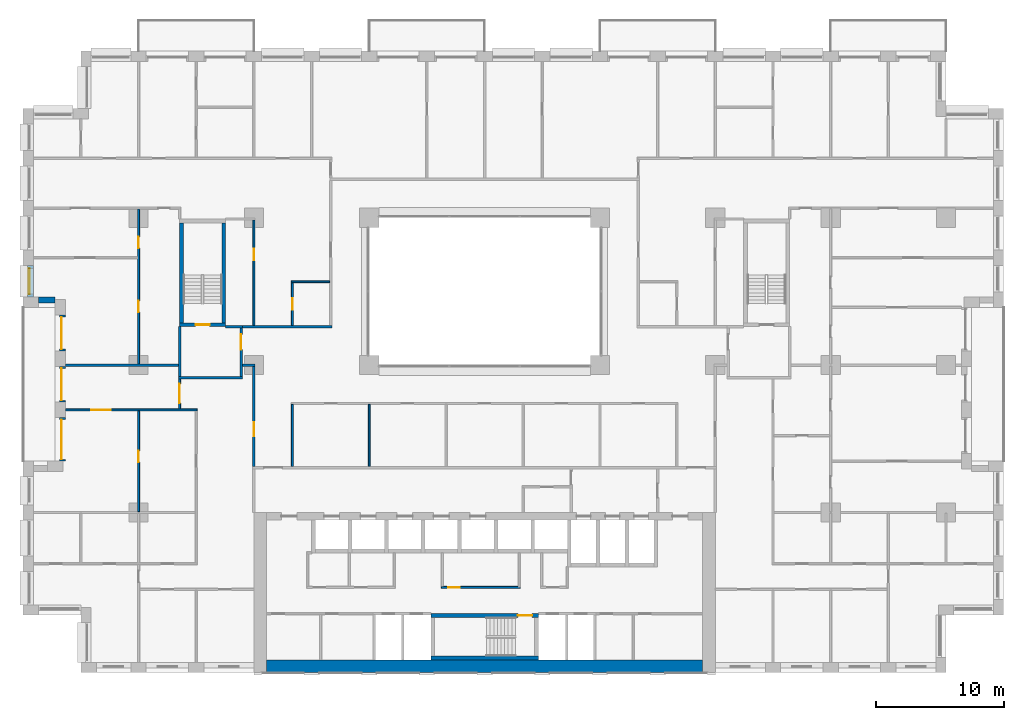
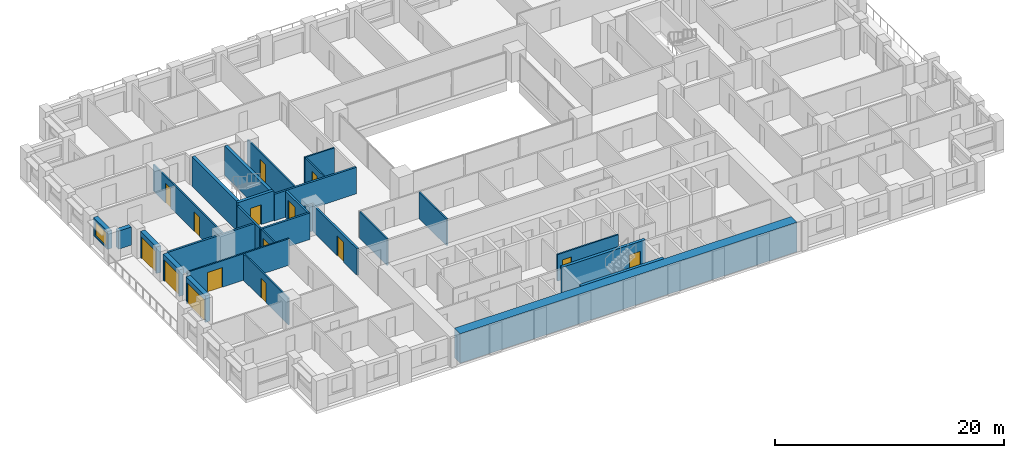
# One storey, part 10 of 19: 29 walls, 15 doors, 1 window, 16 openings.
"""IFC4 building model written with IfcOpenShell, lengths in metres."""

from ifc_helpers import new_model, si_unit, direction, frame, frame_2d, origin, place, context, subcontext, project, spatial, rectangle, extrude, material, layer, layer_set, type_object, element, fill, save


model = new_model("IFC4")

# Units and contexts
model_context = context("Model", 3, precision=1e-05, world=origin(), true_north=direction((0.0, 1.0)))
body_context = subcontext(model_context, "Body", "Model", "MODEL_VIEW")
ifc_project = project(units=[si_unit("LENGTHUNIT", "METRE"), si_unit("AREAUNIT", "SQUARE_METRE"), si_unit("VOLUMEUNIT", "CUBIC_METRE"), si_unit("PLANEANGLEUNIT", "RADIAN"), si_unit("MASSUNIT", "GRAM", prefix="KILO")], contexts=[model_context])

# Site, building, storey
site_placement = place(None, origin())
site = spatial("IfcSite", under=ifc_project, at=site_placement, CompositionType="ELEMENT")
building_placement = place(site_placement, origin())
building = spatial("IfcBuilding", under=site, at=building_placement, Name="Brigalow Station Residences", CompositionType="ELEMENT")
storey_placement = place(building_placement, frame((0.0, 0.0, 19.5)))
storey = spatial("IfcBuildingStorey", under=building, at=storey_placement, Name="L04", CompositionType="ELEMENT", Elevation=19.5)

# Wall, opening, window
ifc_material_1 = material(Name="Clay brick masonry", Category="masonry")
ifc_layer_1 = layer(ifc_material_1, 0.449951171875)
ifc_layer_set_1 = layer_set([ifc_layer_1], Name="BRICK INFILL WALL 450")
wall_type_1 = type_object("IfcWallType", Name="BRICK INFILL WALL 450", PredefinedType="SOLIDWALL", material=ifc_layer_set_1)
wall_1_placement = place(storey_placement, frame((0.574951171875, 31.77490234375, 0.89990234375), z_axis=(0.0, 0.0, 1.0), x_axis=(0.0, -1.0, 0.0)))
wall_1 = element("IfcWall", 1, at=wall_1_placement, inside=storey, type_object=wall_type_1, Name="L04/ewall/W-L04-45", PredefinedType="SOLIDWALL", context=body_context, shape_type="SweptSolid", body=[
    extrude(rectangle(XDim=2.474853515625, YDim=0.449951171875, at=frame_2d((1.2373046875, 0.0))), origin(), (0.0, 0.0, 1.0), 1.93017578125),
])
opening_1_placement = place(wall_1_placement, frame((0.237548828125, 0.0, 0.14990234375)))
opening_1 = element("IfcOpeningElement", 2, at=opening_1_placement, cuts=wall_1, Name="Opening WT-7", PredefinedType="OPENING", context=body_context, shape_type="SweptSolid", body=[
    extrude(rectangle(XDim=2.0, YDim=1.5, at=frame_2d((1.0, 0.75))), frame((0.0, 0.23486328125, 0.0), z_axis=(0.0, -1.0, 0.0), x_axis=(1.0, 0.0, 0.0)), (0.0, 0.0, 1.0), 0.469970703125),
])
ifc_material_2 = material(Name="Anodised aluminium frame with double glazing", Category="aluminium")
window_type = type_object("IfcWindowType", Name="WINDOW 2000x1500", PartitioningType="SINGLE_PANEL", PredefinedType="WINDOW", material=ifc_material_2)
window_placement = place(opening_1_placement, origin())
window = element("IfcWindow", 3, at=window_placement, inside=storey, type_object=window_type, Name="L04/window/W-L04-45", OverallHeight=1.5, OverallWidth=2.0, PartitioningType="SINGLE_PANEL", PredefinedType="WINDOW", context=body_context, shape_type="SweptSolid", body=[
    extrude(rectangle(XDim=2.0, YDim=1.5, at=frame_2d((1.0, 0.75))), frame((0.0, -0.06494140625, 0.0), z_axis=(0.0, -1.0, 0.0), x_axis=(1.0, 0.0, 0.0)), (0.0, 0.0, 1.0), 0.06005859375),
])
fill(opening_1, window)

# Wall
wall_2_placement = place(storey_placement, frame((1.199951171875, 29.074951171875, 0.89990234375), z_axis=(0.0, 0.0, 1.0), x_axis=(1.0, 0.0, 0.0)))
element("IfcWall", 4, at=wall_2_placement, inside=storey, type_object=wall_type_1, Name="L04/ewall/W-L04-46", PredefinedType="SOLIDWALL", context=body_context, shape_type="SweptSolid", body=[
    extrude(rectangle(XDim=1.300048828125, YDim=0.449951171875, at=frame_2d((0.64990234375, 0.0))), origin(), (0.0, 0.0, 1.0), 1.93017578125),
])

# Wall, opening, door
wall_3_placement = place(storey_placement, frame((3.074951171875, 27.89990234375, 0.0), z_axis=(0.0, 0.0, 1.0), x_axis=(0.0, -1.0, 0.0)))
wall_3 = element("IfcWall", 5, at=wall_3_placement, inside=storey, type_object=wall_type_1, Name="L04/ewall/W-L04-47", PredefinedType="SOLIDWALL", context=body_context, shape_type="SweptSolid", body=[
    extrude(rectangle(XDim=2.7998046875, YDim=0.449951171875, at=frame_2d((1.39990234375, 0.0))), origin(), (0.0, 0.0, 1.0), 2.830078125),
])
opening_2_placement = place(wall_3_placement, frame((0.14990234375, 0.0, 0.0)))
opening_2 = element("IfcOpeningElement", 6, at=opening_2_placement, cuts=wall_3, Name="Opening D-B2500", PredefinedType="OPENING", context=body_context, shape_type="SweptSolid", body=[
    extrude(rectangle(XDim=2.5, YDim=2.300048828125, at=frame_2d((1.25, 1.14990234375))), frame((0.0, 0.23486328125, 0.0), z_axis=(0.0, -1.0, 0.0), x_axis=(1.0, 0.0, 0.0)), (0.0, 0.0, 1.0), 0.469970703125),
])
ifc_material_3 = material(Name="Anodised aluminium frame with double glazing", Category="aluminium")
door_type_1 = type_object("IfcDoorType", Name="BALCONY SLIDING DOOR 2500x2300", OperationType="SLIDING_TO_LEFT", PredefinedType="DOOR", material=ifc_material_3)
door_1_placement = place(opening_2_placement, origin())
door_1 = element("IfcDoor", 7, at=door_1_placement, inside=storey, type_object=door_type_1, Name="L04/balcony-door/W-L04-47", OperationType="SLIDING_TO_LEFT", OverallHeight=2.300048828125, OverallWidth=2.5, PredefinedType="DOOR", context=body_context, shape_type="SweptSolid", body=[
    extrude(rectangle(XDim=2.5, YDim=2.300048828125, at=frame_2d((1.25, 1.14990234375))), frame((0.0, -0.06982421875, 0.0), z_axis=(0.0, -1.0, 0.0), x_axis=(1.0, 0.0, 0.0)), (0.0, 0.0, 1.0), 0.050048828125),
])
fill(opening_2, door_1)

wall_4_placement = place(storey_placement, frame((3.074951171875, 23.89990234375, 0.0), z_axis=(0.0, 0.0, 1.0), x_axis=(0.0, -1.0, 0.0)))
wall_4 = element("IfcWall", 8, at=wall_4_placement, inside=storey, type_object=wall_type_1, Name="L04/ewall/W-L04-48", PredefinedType="SOLIDWALL", context=body_context, shape_type="SweptSolid", body=[
    extrude(rectangle(XDim=2.7998046875, YDim=0.449951171875, at=frame_2d((1.39990234375, 0.0))), origin(), (0.0, 0.0, 1.0), 2.830078125),
])
opening_3_placement = place(wall_4_placement, frame((0.14990234375, 0.0, 0.0)))
opening_3 = element("IfcOpeningElement", 9, at=opening_3_placement, cuts=wall_4, Name="Opening D-B2500", PredefinedType="OPENING", context=body_context, shape_type="SweptSolid", body=[
    extrude(rectangle(XDim=2.5, YDim=2.300048828125, at=frame_2d((1.25, 1.14990234375))), frame((0.0, 0.23486328125, 0.0), z_axis=(0.0, -1.0, 0.0), x_axis=(1.0, 0.0, 0.0)), (0.0, 0.0, 1.0), 0.469970703125),
])
door_2_placement = place(opening_3_placement, origin())
door_2 = element("IfcDoor", 10, at=door_2_placement, inside=storey, type_object=door_type_1, Name="L04/balcony-door/W-L04-48", OperationType="SLIDING_TO_LEFT", OverallHeight=2.300048828125, OverallWidth=2.5, PredefinedType="DOOR", context=body_context, shape_type="SweptSolid", body=[
    extrude(rectangle(XDim=2.5, YDim=2.300048828125, at=frame_2d((1.25, 1.14990234375))), frame((0.0, -0.06982421875, 0.0), z_axis=(0.0, -1.0, 0.0), x_axis=(1.0, 0.0, 0.0)), (0.0, 0.0, 1.0), 0.050048828125),
])
fill(opening_3, door_2)

wall_5_placement = place(storey_placement, frame((3.074951171875, 19.89990234375, 0.0), z_axis=(0.0, 0.0, 1.0), x_axis=(0.0, -1.0, 0.0)))
wall_5 = element("IfcWall", 11, at=wall_5_placement, inside=storey, type_object=wall_type_1, Name="L04/ewall/W-L04-49", PredefinedType="SOLIDWALL", context=body_context, shape_type="SweptSolid", body=[
    extrude(rectangle(XDim=3.39990234375, YDim=0.449951171875, at=frame_2d((1.699951171875, 0.0))), origin(), (0.0, 0.0, 1.0), 2.830078125),
])
opening_4_placement = place(wall_5_placement, frame((0.14990234375, 0.0, 0.0)))
opening_4 = element("IfcOpeningElement", 12, at=opening_4_placement, cuts=wall_5, Name="Opening D-B3100", PredefinedType="OPENING", context=body_context, shape_type="SweptSolid", body=[
    extrude(rectangle(XDim=3.10009765625, YDim=2.300048828125, at=frame_2d((1.550048828125, 1.14990234375))), frame((0.0, 0.23486328125, 0.0), z_axis=(0.0, -1.0, 0.0), x_axis=(1.0, 0.0, 0.0)), (0.0, 0.0, 1.0), 0.469970703125),
])
ifc_material_4 = material(Name="Anodised aluminium frame with double glazing", Category="aluminium")
door_type_2 = type_object("IfcDoorType", Name="BALCONY SLIDING DOOR 3100x2300", OperationType="SLIDING_TO_LEFT", PredefinedType="DOOR", material=ifc_material_4)
door_3_placement = place(opening_4_placement, origin())
door_3 = element("IfcDoor", 13, at=door_3_placement, inside=storey, type_object=door_type_2, Name="L04/balcony-door/W-L04-49", OperationType="SLIDING_TO_LEFT", OverallHeight=2.300048828125, OverallWidth=3.10009765625, PredefinedType="DOOR", context=body_context, shape_type="SweptSolid", body=[
    extrude(rectangle(XDim=3.10009765625, YDim=2.300048828125, at=frame_2d((1.550048828125, 1.14990234375))), frame((0.0, -0.06982421875, 0.0), z_axis=(0.0, -1.0, 0.0), x_axis=(1.0, 0.0, 0.0)), (0.0, 0.0, 1.0), 0.050048828125),
])
fill(opening_4, door_3)

# Walls
ifc_material_5 = material(Name="Concrete C80", Category="concrete")
ifc_layer_2 = layer(ifc_material_5, 1.0)
ifc_layer_set_2 = layer_set([ifc_layer_2], Name="CORE SHEAR WALL 1000 C80")
wall_type_2 = type_object("IfcWallType", Name="CORE SHEAR WALL 1000 C80", PredefinedType="SHEAR", material=ifc_layer_set_2)
wall_6_placement = place(storey_placement, frame((19.0, 0.5, 0.0), z_axis=(0.0, 0.0, 1.0), x_axis=(1.0, 0.0, 0.0)))
element("IfcWall", 14, at=wall_6_placement, inside=storey, type_object=wall_type_2, Name="CORE WALL OUT-S L04", PredefinedType="SHEAR", context=body_context, shape_type="SweptSolid", body=[
    extrude(rectangle(XDim=34.0, YDim=1.0, at=frame_2d((17.0, 0.0))), origin(), (0.0, 0.0, 1.0), 3.14990234375),
])
ifc_material_6 = material(Name="Concrete C80", Category="concrete")
ifc_layer_3 = layer(ifc_material_6, 0.300048828125)
ifc_layer_set_3 = layer_set([ifc_layer_3], Name="CORE SHEAR WALL 300 C80")
wall_type_3 = type_object("IfcWallType", Name="CORE SHEAR WALL 300 C80", PredefinedType="SHEAR", material=ifc_layer_set_3)
wall_7_placement = place(storey_placement, frame((31.800048828125, 1.14990234375, 0.0), z_axis=(0.0, 0.0, 1.0), x_axis=(1.0, 0.0, 0.0)))
element("IfcWall", 15, at=wall_7_placement, inside=storey, type_object=wall_type_3, Name="CORE WALL ST-S2-S L04", PredefinedType="SHEAR", context=body_context, shape_type="SweptSolid", body=[
    extrude(rectangle(XDim=8.39990234375, YDim=0.300048828125, at=frame_2d((4.199951171875, 0.0))), origin(), (0.0, 0.0, 1.0), 3.14990234375),
])

# Wall, opening, door
wall_8_placement = place(storey_placement, frame((31.800048828125, 4.449951171875, 0.0), z_axis=(0.0, 0.0, 1.0), x_axis=(1.0, 0.0, 0.0)))
wall_8 = element("IfcWall", 16, at=wall_8_placement, inside=storey, type_object=wall_type_3, Name="CORE WALL ST-S2-N L04", PredefinedType="SHEAR", context=body_context, shape_type="SweptSolid", body=[
    extrude(rectangle(XDim=8.39990234375, YDim=0.300048828125, at=frame_2d((4.199951171875, 0.0))), origin(), (0.0, 0.0, 1.0), 3.14990234375),
])
opening_5_placement = place(wall_8_placement, frame((6.800048828125, 0.0, 0.0)))
opening_5 = element("IfcOpeningElement", 17, at=opening_5_placement, cuts=wall_8, Name="Opening D-5001", PredefinedType="OPENING", context=body_context, shape_type="SweptSolid", body=[
    extrude(rectangle(XDim=1.10009765625, YDim=2.10009765625, at=frame_2d((0.550048828125, 1.050048828125))), frame((0.0, 0.16015625, 0.0), z_axis=(0.0, -1.0, 0.0), x_axis=(1.0, 0.0, 0.0)), (0.0, 0.0, 1.0), 0.320068359375),
])
ifc_material_7 = material(Name="Steel fire door leaf in steel frame", Category="steel")
door_type_3 = type_object("IfcDoorType", Name="STAIR DOOR 1100 x 2100 FD60S", OperationType="SINGLE_SWING_LEFT", PredefinedType="DOOR", material=ifc_material_7)
door_4_placement = place(opening_5_placement, frame((1.10009765625, 0.0, 0.0), z_axis=(0.0, 0.0, 1.0), x_axis=(-1.0, 0.0, 0.0)))
door_4 = element("IfcDoor", 18, at=door_4_placement, inside=storey, type_object=door_type_3, Name="D-5001", OperationType="SINGLE_SWING_LEFT", OverallHeight=2.10009765625, OverallWidth=1.10009765625, PredefinedType="DOOR", context=body_context, shape_type="SweptSolid", body=[
    extrude(rectangle(XDim=1.10009765625, YDim=2.10009765625, at=frame_2d((0.550048828125, 1.050048828125))), frame((0.0, 0.02490234375, 0.0), z_axis=(0.0, -1.0, 0.0), x_axis=(1.0, 0.0, 0.0)), (0.0, 0.0, 1.0), 0.050048828125),
])
fill(opening_5, door_4)

wall_9_placement = place(storey_placement, frame((12.199951171875, 27.14990234375, 0.0), z_axis=(0.0, 0.0, 1.0), x_axis=(1.0, 0.0, 0.0)))
wall_9 = element("IfcWall", 19, at=wall_9_placement, inside=storey, type_object=wall_type_3, Name="CORE WALL ST-S1-S L04", PredefinedType="SHEAR", context=body_context, shape_type="SweptSolid", body=[
    extrude(rectangle(XDim=3.60009765625, YDim=0.300048828125, at=frame_2d((1.800048828125, 0.0))), origin(), (0.0, 0.0, 1.0), 3.14990234375),
])
opening_6_placement = place(wall_9_placement, frame((1.25, 0.0, 0.0)))
opening_6 = element("IfcOpeningElement", 20, at=opening_6_placement, cuts=wall_9, Name="Opening D-5015", PredefinedType="OPENING", context=body_context, shape_type="SweptSolid", body=[
    extrude(rectangle(XDim=1.10009765625, YDim=2.10009765625, at=frame_2d((0.550048828125, 1.050048828125))), frame((0.0, 0.16015625, 0.0), z_axis=(0.0, -1.0, 0.0), x_axis=(1.0, 0.0, 0.0)), (0.0, 0.0, 1.0), 0.320068359375),
])
door_5_placement = place(opening_6_placement, origin())
door_5 = element("IfcDoor", 21, at=door_5_placement, inside=storey, type_object=door_type_3, Name="D-5015", OperationType="SINGLE_SWING_LEFT", OverallHeight=2.10009765625, OverallWidth=1.10009765625, PredefinedType="DOOR", context=body_context, shape_type="SweptSolid", body=[
    extrude(rectangle(XDim=1.10009765625, YDim=2.10009765625, at=frame_2d((0.550048828125, 1.050048828125))), frame((0.0, 0.02490234375, 0.0), z_axis=(0.0, -1.0, 0.0), x_axis=(1.0, 0.0, 0.0)), (0.0, 0.0, 1.0), 0.050048828125),
])
fill(opening_6, door_5)

# Walls
for number, where, z_axis, x_axis, name in (
    (22, (12.35009765625, 27.300048828125, 0.0), (0.0, 0.0, 1.0), (0.0, 1.0, 0.0), "CORE WALL ST-S1-W L04"),
    (23, (15.64990234375, 27.300048828125, 0.0), (0.0, 0.0, 1.0), (0.0, 1.0, 0.0), "CORE WALL ST-S1-E L04"),
):
    element("IfcWall", number, at=place(storey_placement, frame(where, z_axis=z_axis, x_axis=x_axis)), inside=storey, type_object=wall_type_3, Name=name, PredefinedType="SHEAR", context=body_context, shape_type="SweptSolid", body=[
        extrude(rectangle(XDim=7.800048828125, YDim=0.300048828125, at=frame_2d((3.89990234375, 0.0))), origin(), (0.0, 0.0, 1.0), 3.14990234375),
    ])
ifc_material_8 = material(Name="Concrete blockwork", Category="masonry")
ifc_layer_4 = layer(ifc_material_8, 0.199951171875)
ifc_layer_set_4 = layer_set([ifc_layer_4], Name="FIRE RATED CORE PARTITION 200")
wall_type_4 = type_object("IfcWallType", Name="FIRE RATED CORE PARTITION 200", PredefinedType="PARTITIONING", material=ifc_layer_set_4)
wall_10_placement = place(storey_placement, frame((12.10009765625, 23.0, 0.0), z_axis=(0.0, 0.0, 1.0), x_axis=(1.0, 0.0, 0.0)))
element("IfcWall", 24, at=wall_10_placement, inside=storey, type_object=wall_type_4, Name="PW-5023", PredefinedType="PARTITIONING", context=body_context, shape_type="SweptSolid", body=[
    extrude(rectangle(XDim=5.0, YDim=0.199951171875, at=frame_2d((2.5, 0.0))), origin(), (0.0, 0.0, 1.0), 2.830078125),
])
wall_11_placement = place(storey_placement, frame((15.800048828125, 27.0, 0.0), z_axis=(0.0, 0.0, 1.0), x_axis=(1.0, 0.0, 0.0)))
element("IfcWall", 25, at=wall_11_placement, inside=storey, type_object=wall_type_4, Name="PW-5025", PredefinedType="PARTITIONING", context=body_context, shape_type="SweptSolid", body=[
    extrude(rectangle(XDim=1.300048828125, YDim=0.199951171875, at=frame_2d((0.64990234375, 0.0))), origin(), (0.0, 0.0, 1.0), 2.830078125),
])
wall_12_placement = place(storey_placement, frame((12.199951171875, 23.10009765625, 0.0), z_axis=(0.0, 0.0, 1.0), x_axis=(0.0, 1.0, 0.0)))
element("IfcWall", 26, at=wall_12_placement, inside=storey, type_object=wall_type_4, Name="PW-5034", PredefinedType="PARTITIONING", context=body_context, shape_type="SweptSolid", body=[
    extrude(rectangle(XDim=3.89990234375, YDim=0.199951171875, at=frame_2d((1.949951171875, 0.0))), origin(), (0.0, 0.0, 1.0), 2.830078125),
])

# Wall, opening, door
wall_13_placement = place(storey_placement, frame((17.0, 23.10009765625, 0.0), z_axis=(0.0, 0.0, 1.0), x_axis=(0.0, 1.0, 0.0)))
wall_13 = element("IfcWall", 27, at=wall_13_placement, inside=storey, type_object=wall_type_4, Name="PW-5035", PredefinedType="PARTITIONING", context=body_context, shape_type="SweptSolid", body=[
    extrude(rectangle(XDim=3.7998046875, YDim=0.199951171875, at=frame_2d((1.89990234375, 0.0))), origin(), (0.0, 0.0, 1.0), 2.830078125),
])
opening_7_placement = place(wall_13_placement, frame((2.10009765625, 0.0, 0.0)))
opening_7 = element("IfcOpeningElement", 28, at=opening_7_placement, cuts=wall_13, Name="Opening D-5016", PredefinedType="OPENING", context=body_context, shape_type="SweptSolid", body=[
    extrude(rectangle(XDim=1.199951171875, YDim=2.10009765625, at=frame_2d((0.60009765625, 1.050048828125))), frame((0.0, 0.10986328125, 0.0), z_axis=(0.0, -1.0, 0.0), x_axis=(1.0, 0.0, 0.0)), (0.0, 0.0, 1.0), 0.219970703125),
])
ifc_material_9 = material(Name="Steel fire door leaf in steel frame", Category="steel")
door_type_4 = type_object("IfcDoorType", Name="STAIR LOBBY DOOR 1200 x 2100 FD60S", OperationType="SINGLE_SWING_LEFT", PredefinedType="DOOR", material=ifc_material_9)
door_6_placement = place(opening_7_placement, origin())
door_6 = element("IfcDoor", 29, at=door_6_placement, inside=storey, type_object=door_type_4, Name="D-5016", OperationType="SINGLE_SWING_RIGHT", OverallHeight=2.10009765625, OverallWidth=1.199951171875, PredefinedType="DOOR", context=body_context, shape_type="SweptSolid", body=[
    extrude(rectangle(XDim=1.199951171875, YDim=2.10009765625, at=frame_2d((0.60009765625, 1.050048828125))), frame((0.0, 0.02490234375, 0.0), z_axis=(0.0, -1.0, 0.0), x_axis=(1.0, 0.0, 0.0)), (0.0, 0.0, 1.0), 0.050048828125),
])
fill(opening_7, door_6)

ifc_material_10 = material(Name="Plasterboard on steel stud partition", Category="steel")
ifc_layer_5 = layer(ifc_material_10, 0.14990234375)
ifc_layer_set_5 = layer_set([ifc_layer_5], Name="FLAT PARTITION 150")
wall_type_5 = type_object("IfcWallType", Name="FLAT PARTITION 150", PredefinedType="PARTITIONING", material=ifc_layer_set_5)
wall_14_placement = place(storey_placement, frame((3.300048828125, 20.5, 0.0), z_axis=(0.0, 0.0, 1.0), x_axis=(1.0, 0.0, 0.0)))
wall_14 = element("IfcWall", 30, at=wall_14_placement, inside=storey, type_object=wall_type_5, Name="PW-1A15", PredefinedType="PARTITIONING", context=body_context, shape_type="SweptSolid", body=[
    extrude(rectangle(XDim=10.27490234375, YDim=0.14990234375, at=frame_2d((5.137451171875, 0.0))), origin(), (0.0, 0.0, 1.0), 2.830078125),
])
opening_8_placement = place(wall_14_placement, frame((2.02490234375, 0.0, 0.0)))
opening_8 = element("IfcOpeningElement", 31, at=opening_8_placement, cuts=wall_14, Name="Opening D-1A12", PredefinedType="OPENING", context=body_context, shape_type="SweptSolid", body=[
    extrude(rectangle(XDim=1.5, YDim=2.10009765625, at=frame_2d((0.75, 1.050048828125))), frame((0.0, 0.0849609375, 0.0), z_axis=(0.0, -1.0, 0.0), x_axis=(1.0, 0.0, 0.0)), (0.0, 0.0, 1.0), 0.169921875),
])
ifc_material_11 = material(Name="Solid-core timber door leaf", Category="wood")
door_type_5 = type_object("IfcDoorType", Name="INTERNAL DOUBLE DOOR 1500 x 2100", OperationType="DOUBLE_DOOR_SINGLE_SWING", PredefinedType="DOOR", material=ifc_material_11)
door_7_placement = place(opening_8_placement, origin())
door_7 = element("IfcDoor", 32, at=door_7_placement, inside=storey, type_object=door_type_5, Name="D-1A12", OperationType="DOUBLE_DOOR_SINGLE_SWING", OverallHeight=2.10009765625, OverallWidth=1.5, PredefinedType="DOOR", context=body_context, shape_type="SweptSolid", body=[
    extrude(rectangle(XDim=1.5, YDim=2.10009765625, at=frame_2d((0.75, 1.050048828125))), frame((0.0, 0.02490234375, 0.0), z_axis=(0.0, -1.0, 0.0), x_axis=(1.0, 0.0, 0.0)), (0.0, 0.0, 1.0), 0.050048828125),
])
fill(opening_8, door_7)

# Wall
wall_15_placement = place(storey_placement, frame((20.925048828125, 30.5, 0.0), z_axis=(0.0, 0.0, 1.0), x_axis=(1.0, 0.0, 0.0)))
element("IfcWall", 33, at=wall_15_placement, inside=storey, type_object=wall_type_5, Name="PW-1A24", PredefinedType="PARTITIONING", context=body_context, shape_type="SweptSolid", body=[
    extrude(rectangle(XDim=2.974853515625, YDim=0.14990234375, at=frame_2d((1.4873046875, 0.0))), origin(), (0.0, 0.0, 1.0), 2.830078125),
])

# Wall, opening, door
wall_16_placement = place(storey_placement, frame((18.0, 27.10009765625, 0.0), z_axis=(0.0, 0.0, 1.0), x_axis=(0.0, 1.0, 0.0)))
wall_16 = element("IfcWall", 34, at=wall_16_placement, inside=storey, type_object=wall_type_5, Name="PW-1A32", PredefinedType="PARTITIONING", context=body_context, shape_type="SweptSolid", body=[
    extrude(rectangle(XDim=8.224853515625, YDim=0.14990234375, at=frame_2d((4.1123046875, 0.0))), origin(), (0.0, 0.0, 1.0), 2.830078125),
])
opening_9_placement = place(wall_16_placement, frame((5.074951171875, 0.0, 0.0)))
opening_9 = element("IfcOpeningElement", 35, at=opening_9_placement, cuts=wall_16, Name="Opening D-1A19", PredefinedType="OPENING", context=body_context, shape_type="SweptSolid", body=[
    extrude(rectangle(XDim=0.89990234375, YDim=2.10009765625, at=frame_2d((0.449951171875, 1.050048828125))), frame((0.0, 0.0849609375, 0.0), z_axis=(0.0, -1.0, 0.0), x_axis=(1.0, 0.0, 0.0)), (0.0, 0.0, 1.0), 0.169921875),
])
ifc_material_12 = material(Name="Solid-core timber door leaf", Category="wood")
door_type_6 = type_object("IfcDoorType", Name="INTERNAL DOOR 900 x 2100", OperationType="SINGLE_SWING_LEFT", PredefinedType="DOOR", material=ifc_material_12)
door_8_placement = place(opening_9_placement, origin())
door_8 = element("IfcDoor", 36, at=door_8_placement, inside=storey, type_object=door_type_6, Name="D-1A19", OperationType="SINGLE_SWING_RIGHT", OverallHeight=2.10009765625, OverallWidth=0.89990234375, PredefinedType="DOOR", context=body_context, shape_type="SweptSolid", body=[
    extrude(rectangle(XDim=0.89990234375, YDim=2.10009765625, at=frame_2d((0.449951171875, 1.050048828125))), frame((0.0, 0.02490234375, 0.0), z_axis=(0.0, -1.0, 0.0), x_axis=(1.0, 0.0, 0.0)), (0.0, 0.0, 1.0), 0.050048828125),
])
fill(opening_9, door_8)

# Wall
wall_17_placement = place(storey_placement, frame((21.0, 16.10009765625, 0.0), z_axis=(0.0, 0.0, 1.0), x_axis=(0.0, 1.0, 0.0)))
element("IfcWall", 37, at=wall_17_placement, inside=storey, type_object=wall_type_5, Name="PW-1A38", PredefinedType="PARTITIONING", context=body_context, shape_type="SweptSolid", body=[
    extrude(rectangle(XDim=4.824951171875, YDim=0.14990234375, at=frame_2d((2.41259765625, 0.0))), origin(), (0.0, 0.0, 1.0), 2.830078125),
])

# Wall, opening, door
wall_18_placement = place(storey_placement, frame((21.0, 27.10009765625, 0.0), z_axis=(0.0, 0.0, 1.0), x_axis=(0.0, 1.0, 0.0)))
wall_18 = element("IfcWall", 38, at=wall_18_placement, inside=storey, type_object=wall_type_5, Name="PW-1A39", PredefinedType="PARTITIONING", context=body_context, shape_type="SweptSolid", body=[
    extrude(rectangle(XDim=3.324951171875, YDim=0.14990234375, at=frame_2d((1.66259765625, 0.0))), origin(), (0.0, 0.0, 1.0), 2.830078125),
])
opening_10_placement = place(wall_18_placement, frame((1.199951171875, 0.0, 0.0)))
opening_10 = element("IfcOpeningElement", 39, at=opening_10_placement, cuts=wall_18, Name="Opening D-1A20", PredefinedType="OPENING", context=body_context, shape_type="SweptSolid", body=[
    extrude(rectangle(XDim=0.89990234375, YDim=2.10009765625, at=frame_2d((0.449951171875, 1.050048828125))), frame((0.0, 0.0849609375, 0.0), z_axis=(0.0, -1.0, 0.0), x_axis=(1.0, 0.0, 0.0)), (0.0, 0.0, 1.0), 0.169921875),
])
door_9_placement = place(opening_10_placement, frame((0.89990234375, 0.0, 0.0), z_axis=(0.0, 0.0, 1.0), x_axis=(-1.0, 0.0, 0.0)))
door_9 = element("IfcDoor", 40, at=door_9_placement, inside=storey, type_object=door_type_6, Name="D-1A20", OperationType="SINGLE_SWING_RIGHT", OverallHeight=2.10009765625, OverallWidth=0.89990234375, PredefinedType="DOOR", context=body_context, shape_type="SweptSolid", body=[
    extrude(rectangle(XDim=0.89990234375, YDim=2.10009765625, at=frame_2d((0.449951171875, 1.050048828125))), frame((0.0, 0.02490234375, 0.0), z_axis=(0.0, -1.0, 0.0), x_axis=(1.0, 0.0, 0.0)), (0.0, 0.0, 1.0), 0.050048828125),
])
fill(opening_10, door_9)

wall_19_placement = place(storey_placement, frame((9.0, 12.574951171875, 0.0), z_axis=(0.0, 0.0, 1.0), x_axis=(0.0, 1.0, 0.0)))
wall_19 = element("IfcWall", 41, at=wall_19_placement, inside=storey, type_object=wall_type_5, Name="PW-1A48", PredefinedType="PARTITIONING", context=body_context, shape_type="SweptSolid", body=[
    extrude(rectangle(XDim=7.85009765625, YDim=0.14990234375, at=frame_2d((3.925048828125, 0.0))), origin(), (0.0, 0.0, 1.0), 2.830078125),
])
opening_11_placement = place(wall_19_placement, frame((3.85009765625, 0.0, 0.0)))
opening_11 = element("IfcOpeningElement", 42, at=opening_11_placement, cuts=wall_19, Name="Opening D-1A10", PredefinedType="OPENING", context=body_context, shape_type="SweptSolid", body=[
    extrude(rectangle(XDim=0.89990234375, YDim=2.10009765625, at=frame_2d((0.449951171875, 1.050048828125))), frame((0.0, 0.0849609375, 0.0), z_axis=(0.0, -1.0, 0.0), x_axis=(1.0, 0.0, 0.0)), (0.0, 0.0, 1.0), 0.169921875),
])
door_10_placement = place(opening_11_placement, frame((0.89990234375, 0.0, 0.0), z_axis=(0.0, 0.0, 1.0), x_axis=(-1.0, 0.0, 0.0)))
door_10 = element("IfcDoor", 43, at=door_10_placement, inside=storey, type_object=door_type_6, Name="D-1A10", OperationType="SINGLE_SWING_LEFT", OverallHeight=2.10009765625, OverallWidth=0.89990234375, PredefinedType="DOOR", context=body_context, shape_type="SweptSolid", body=[
    extrude(rectangle(XDim=0.89990234375, YDim=2.10009765625, at=frame_2d((0.449951171875, 1.050048828125))), frame((0.0, 0.02490234375, 0.0), z_axis=(0.0, -1.0, 0.0), x_axis=(1.0, 0.0, 0.0)), (0.0, 0.0, 1.0), 0.050048828125),
])
fill(opening_11, door_10)

# Wall, openings, doors
wall_20_placement = place(storey_placement, frame((9.0, 24.10009765625, 0.0), z_axis=(0.0, 0.0, 1.0), x_axis=(0.0, 1.0, 0.0)))
wall_20 = element("IfcWall", 44, at=wall_20_placement, inside=storey, type_object=wall_type_5, Name="PW-1A49", PredefinedType="PARTITIONING", context=body_context, shape_type="SweptSolid", body=[
    extrude(rectangle(XDim=12.074951171875, YDim=0.14990234375, at=frame_2d((6.03759765625, 0.0))), origin(), (0.0, 0.0, 1.0), 2.830078125),
])
opening_12_placement = place(wall_20_placement, frame((4.011962890625, 0.0, 0.0)))
opening_12 = element("IfcOpeningElement", 45, at=opening_12_placement, cuts=wall_20, Name="Opening D-1A16", PredefinedType="OPENING", context=body_context, shape_type="SweptSolid", body=[
    extrude(rectangle(XDim=0.89990234375, YDim=2.10009765625, at=frame_2d((0.449951171875, 1.050048828125))), frame((0.0, 0.0849609375, 0.0), z_axis=(0.0, -1.0, 0.0), x_axis=(1.0, 0.0, 0.0)), (0.0, 0.0, 1.0), 0.169921875),
])
opening_13_placement = place(wall_20_placement, frame((9.011962890625, 0.0, 0.0)))
opening_13 = element("IfcOpeningElement", 46, at=opening_13_placement, cuts=wall_20, Name="Opening D-1A17", PredefinedType="OPENING", context=body_context, shape_type="SweptSolid", body=[
    extrude(rectangle(XDim=0.89990234375, YDim=2.10009765625, at=frame_2d((0.449951171875, 1.050048828125))), frame((0.0, 0.0849609375, 0.0), z_axis=(0.0, -1.0, 0.0), x_axis=(1.0, 0.0, 0.0)), (0.0, 0.0, 1.0), 0.169921875),
])
door_11_placement = place(opening_12_placement, frame((0.89990234375, 0.0, 0.0), z_axis=(0.0, 0.0, 1.0), x_axis=(-1.0, 0.0, 0.0)))
door_11 = element("IfcDoor", 47, at=door_11_placement, inside=storey, type_object=door_type_6, Name="D-1A16", OperationType="SINGLE_SWING_RIGHT", OverallHeight=2.10009765625, OverallWidth=0.89990234375, PredefinedType="DOOR", context=body_context, shape_type="SweptSolid", body=[
    extrude(rectangle(XDim=0.89990234375, YDim=2.10009765625, at=frame_2d((0.449951171875, 1.050048828125))), frame((0.0, 0.02490234375, 0.0), z_axis=(0.0, -1.0, 0.0), x_axis=(1.0, 0.0, 0.0)), (0.0, 0.0, 1.0), 0.050048828125),
])
fill(opening_12, door_11)
door_12_placement = place(opening_13_placement, origin())
door_12 = element("IfcDoor", 48, at=door_12_placement, inside=storey, type_object=door_type_6, Name="D-1A17", OperationType="SINGLE_SWING_LEFT", OverallHeight=2.10009765625, OverallWidth=0.89990234375, PredefinedType="DOOR", context=body_context, shape_type="SweptSolid", body=[
    extrude(rectangle(XDim=0.89990234375, YDim=2.10009765625, at=frame_2d((0.449951171875, 1.050048828125))), frame((0.0, 0.02490234375, 0.0), z_axis=(0.0, -1.0, 0.0), x_axis=(1.0, 0.0, 0.0)), (0.0, 0.0, 1.0), 0.050048828125),
])
fill(opening_13, door_12)

# Wall, opening, door
wall_21_placement = place(storey_placement, frame((12.199951171875, 20.574951171875, 0.0), z_axis=(0.0, 0.0, 1.0), x_axis=(0.0, 1.0, 0.0)))
wall_21 = element("IfcWall", 49, at=wall_21_placement, inside=storey, type_object=wall_type_5, Name="PW-1A56", PredefinedType="PARTITIONING", context=body_context, shape_type="SweptSolid", body=[
    extrude(rectangle(XDim=2.324951171875, YDim=0.14990234375, at=frame_2d((1.16259765625, 0.0))), origin(), (0.0, 0.0, 1.0), 2.830078125),
])
opening_14_placement = place(wall_21_placement, frame((0.449951171875, 0.0, 0.0)))
opening_14 = element("IfcOpeningElement", 50, at=opening_14_placement, cuts=wall_21, Name="Opening D-1A11", PredefinedType="OPENING", context=body_context, shape_type="SweptSolid", body=[
    extrude(rectangle(XDim=1.5, YDim=2.10009765625, at=frame_2d((0.75, 1.050048828125))), frame((0.0, 0.0849609375, 0.0), z_axis=(0.0, -1.0, 0.0), x_axis=(1.0, 0.0, 0.0)), (0.0, 0.0, 1.0), 0.169921875),
])
door_13_placement = place(opening_14_placement, origin())
door_13 = element("IfcDoor", 51, at=door_13_placement, inside=storey, type_object=door_type_5, Name="D-1A11", OperationType="DOUBLE_DOOR_SINGLE_SWING", OverallHeight=2.10009765625, OverallWidth=1.5, PredefinedType="DOOR", context=body_context, shape_type="SweptSolid", body=[
    extrude(rectangle(XDim=1.5, YDim=2.10009765625, at=frame_2d((0.75, 1.050048828125))), frame((0.0, 0.02490234375, 0.0), z_axis=(0.0, -1.0, 0.0), x_axis=(1.0, 0.0, 0.0)), (0.0, 0.0, 1.0), 0.050048828125),
])
fill(opening_14, door_13)

# Walls
wall_22_placement = place(storey_placement, frame((27.0, 16.10009765625, 0.0), z_axis=(0.0, 0.0, 1.0), x_axis=(0.0, 1.0, 0.0)))
element("IfcWall", 52, at=wall_22_placement, inside=storey, type_object=wall_type_5, Name="PW-1A77", PredefinedType="PARTITIONING", context=body_context, shape_type="SweptSolid", body=[
    extrude(rectangle(XDim=4.824951171875, YDim=0.14990234375, at=frame_2d((2.41259765625, 0.0))), origin(), (0.0, 0.0, 1.0), 2.830078125),
])
ifc_material_13 = material(Name="Plasterboard on steel stud partition", Category="steel")
ifc_layer_6 = layer(ifc_material_13, 0.199951171875)
ifc_layer_set_6 = layer_set([ifc_layer_6], Name="PARTY AND CORRIDOR WALL 200")
wall_type_6 = type_object("IfcWallType", Name="PARTY AND CORRIDOR WALL 200", PredefinedType="PARTITIONING", material=ifc_layer_set_6)
wall_23_placement = place(storey_placement, frame((3.300048828125, 24.0, 0.0), z_axis=(0.0, 0.0, 1.0), x_axis=(1.0, 0.0, 0.0)))
element("IfcWall", 53, at=wall_23_placement, inside=storey, type_object=wall_type_6, Name="PW-1A02", PredefinedType="PARTITIONING", context=body_context, shape_type="SweptSolid", body=[
    extrude(rectangle(XDim=8.800048828125, YDim=0.199951171875, at=frame_2d((4.39990234375, 0.0))), origin(), (0.0, 0.0, 1.0), 2.830078125),
])
wall_24_placement = place(storey_placement, frame((17.10009765625, 24.0, 0.0), z_axis=(0.0, 0.0, 1.0), x_axis=(1.0, 0.0, 0.0)))
element("IfcWall", 54, at=wall_24_placement, inside=storey, type_object=wall_type_6, Name="PW-1A03", PredefinedType="PARTITIONING", context=body_context, shape_type="SweptSolid", body=[
    extrude(rectangle(XDim=1.0, YDim=0.199951171875, at=frame_2d((0.5, 0.0))), origin(), (0.0, 0.0, 1.0), 2.830078125),
])
wall_25_placement = place(storey_placement, frame((17.10009765625, 27.0, 0.0), z_axis=(0.0, 0.0, 1.0), x_axis=(1.0, 0.0, 0.0)))
element("IfcWall", 55, at=wall_25_placement, inside=storey, type_object=wall_type_6, Name="PW-1A06", PredefinedType="PARTITIONING", context=body_context, shape_type="SweptSolid", body=[
    extrude(rectangle(XDim=7.0, YDim=0.199951171875, at=frame_2d((3.5, 0.0))), origin(), (0.0, 0.0, 1.0), 2.830078125),
])

# Wall, opening, door
wall_26_placement = place(storey_placement, frame((18.0, 16.10009765625, 0.0), z_axis=(0.0, 0.0, 1.0), x_axis=(0.0, 1.0, 0.0)))
wall_26 = element("IfcWall", 56, at=wall_26_placement, inside=storey, type_object=wall_type_6, Name="PW-1A34", PredefinedType="PARTITIONING", context=body_context, shape_type="SweptSolid", body=[
    extrude(rectangle(XDim=7.7998046875, YDim=0.199951171875, at=frame_2d((3.89990234375, 0.0))), origin(), (0.0, 0.0, 1.0), 2.830078125),
])
opening_15_placement = place(wall_26_placement, frame((2.35009765625, 0.0, 0.0)))
opening_15 = element("IfcOpeningElement", 57, at=opening_15_placement, cuts=wall_26, Name="Opening D-1A13", PredefinedType="OPENING", context=body_context, shape_type="SweptSolid", body=[
    extrude(rectangle(XDim=1.10009765625, YDim=2.10009765625, at=frame_2d((0.550048828125, 1.050048828125))), frame((0.0, 0.10986328125, 0.0), z_axis=(0.0, -1.0, 0.0), x_axis=(1.0, 0.0, 0.0)), (0.0, 0.0, 1.0), 0.219970703125),
])
ifc_material_14 = material(Name="Solid-core timber door leaf", Category="wood")
door_type_7 = type_object("IfcDoorType", Name="FLAT ENTRANCE DOOR 1100 x 2100 FRL -/60/30", OperationType="SINGLE_SWING_LEFT", PredefinedType="DOOR", material=ifc_material_14)
door_14_placement = place(opening_15_placement, origin())
door_14 = element("IfcDoor", 58, at=door_14_placement, inside=storey, type_object=door_type_7, Name="D-1A13", OperationType="SINGLE_SWING_RIGHT", OverallHeight=2.10009765625, OverallWidth=1.10009765625, PredefinedType="DOOR", context=body_context, shape_type="SweptSolid", body=[
    extrude(rectangle(XDim=1.10009765625, YDim=2.10009765625, at=frame_2d((0.550048828125, 1.050048828125))), frame((0.0, 0.02490234375, 0.0), z_axis=(0.0, -1.0, 0.0), x_axis=(1.0, 0.0, 0.0)), (0.0, 0.0, 1.0), 0.050048828125),
])
fill(opening_15, door_14)

ifc_material_15 = material(Name="Plasterboard on steel studs", Category="steel")
ifc_layer_7 = layer(ifc_material_15, 0.14990234375)
ifc_layer_set_7 = layer_set([ifc_layer_7], Name="SERVICE ROOM PARTITION 150")
wall_type_7 = type_object("IfcWallType", Name="SERVICE ROOM PARTITION 150", PredefinedType="PARTITIONING", material=ifc_layer_set_7)
wall_27_placement = place(storey_placement, frame((32.625, 6.64990234375, 0.0), z_axis=(0.0, 0.0, 1.0), x_axis=(1.0, 0.0, 0.0)))
wall_27 = element("IfcWall", 59, at=wall_27_placement, inside=storey, type_object=wall_type_7, Name="PW-5127", PredefinedType="PARTITIONING", context=body_context, shape_type="SweptSolid", body=[
    extrude(rectangle(XDim=6.14990234375, YDim=0.14990234375, at=frame_2d((3.074951171875, 0.0))), origin(), (0.0, 0.0, 1.0), 2.830078125),
])
opening_16_placement = place(wall_27_placement, frame((0.52490234375, 0.0, 0.0)))
opening_16 = element("IfcOpeningElement", 60, at=opening_16_placement, cuts=wall_27, Name="Opening D-5073", PredefinedType="OPENING", context=body_context, shape_type="SweptSolid", body=[
    extrude(rectangle(XDim=0.89990234375, YDim=2.10009765625, at=frame_2d((0.449951171875, 1.050048828125))), frame((0.0, 0.0849609375, 0.0), z_axis=(0.0, -1.0, 0.0), x_axis=(1.0, 0.0, 0.0)), (0.0, 0.0, 1.0), 0.169921875),
])
ifc_material_16 = material(Name="Steel door leaf in steel frame", Category="steel")
door_type_8 = type_object("IfcDoorType", Name="SERVICE ROOM DOOR 900 x 2100 FD60", OperationType="SINGLE_SWING_LEFT", PredefinedType="DOOR", material=ifc_material_16)
door_15_placement = place(opening_16_placement, origin())
door_15 = element("IfcDoor", 61, at=door_15_placement, inside=storey, type_object=door_type_8, Name="D-5073", OperationType="SINGLE_SWING_LEFT", OverallHeight=2.10009765625, OverallWidth=0.89990234375, PredefinedType="DOOR", context=body_context, shape_type="SweptSolid", body=[
    extrude(rectangle(XDim=0.89990234375, YDim=2.10009765625, at=frame_2d((0.449951171875, 1.050048828125))), frame((0.0, 0.02490234375, 0.0), z_axis=(0.0, -1.0, 0.0), x_axis=(1.0, 0.0, 0.0)), (0.0, 0.0, 1.0), 0.050048828125),
])
fill(opening_16, door_15)

save(model, "model.ifc")
